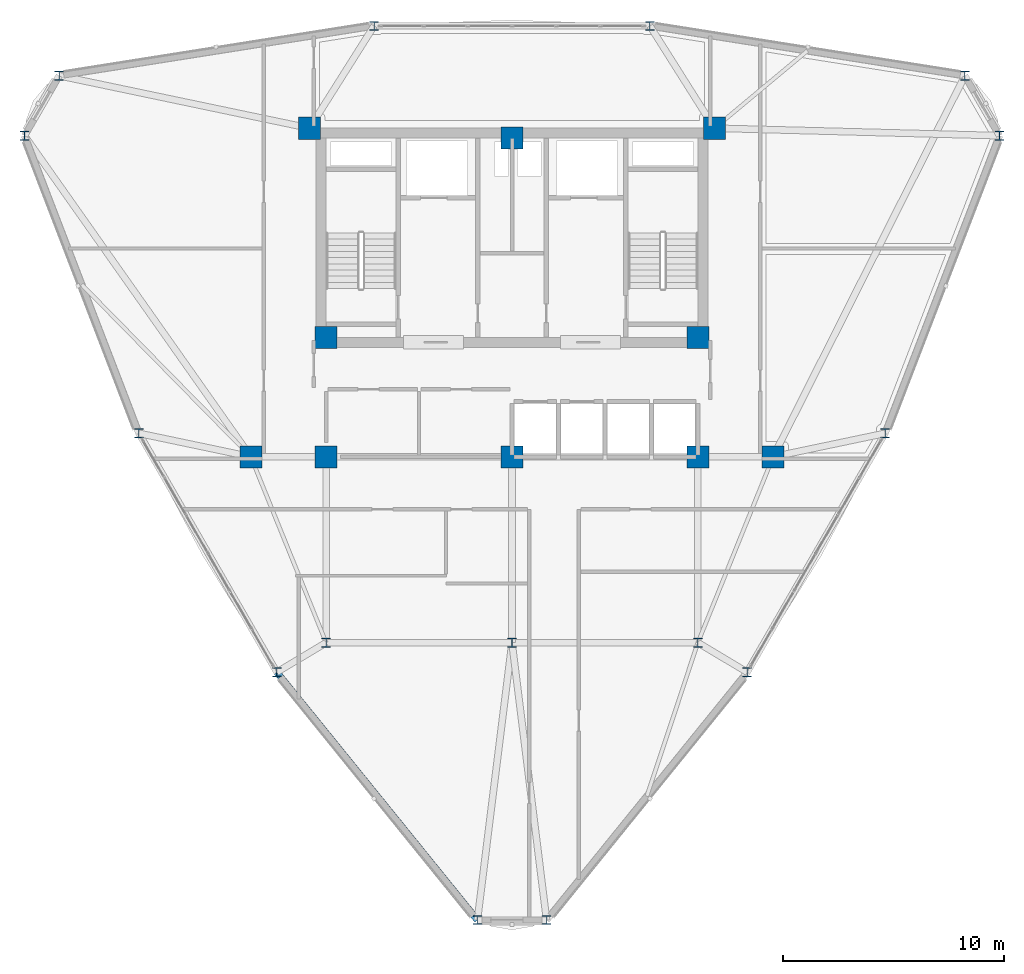
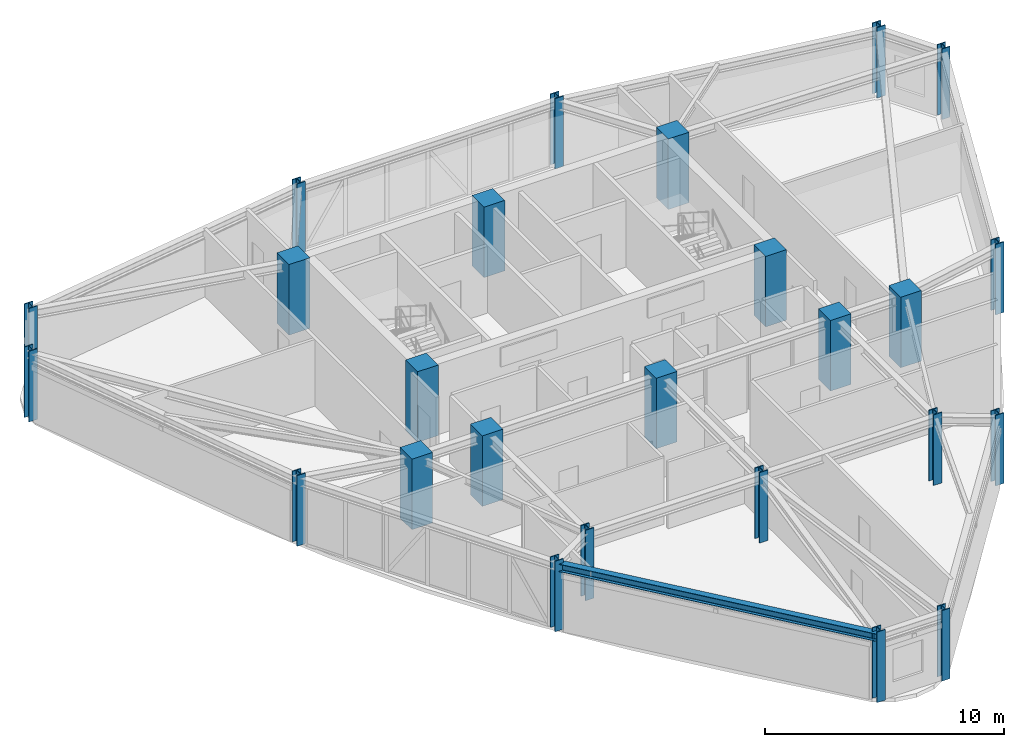
# One storey, part 1 of 14: 25 columns, 1 beam.
"""IFC4 building model written with IfcOpenShell, lengths in metres."""

from ifc_helpers import new_model, si_unit, derived_unit, direction, frame, origin, origin_2d, place, context, subcontext, project, spatial, rectangle, i_section, extrude, source, transform, mapped, material, material_profile, profile_set, type_object, element, save


model = new_model("IFC4")

# Units and contexts
model_context = context("Model", 3, precision=1e-05, world=origin(), true_north=direction((0.0, 1.0)))
body_context = subcontext(model_context, "Body", "Model", "MODEL_VIEW")
ifc_project = project(units=[si_unit("LENGTHUNIT", "METRE"), si_unit("AREAUNIT", "SQUARE_METRE"), si_unit("VOLUMEUNIT", "CUBIC_METRE"), si_unit("PLANEANGLEUNIT", "RADIAN"), si_unit("MASSUNIT", "GRAM", prefix="KILO"), derived_unit("THERMALTRANSMITTANCEUNIT", [(si_unit("POWERUNIT", "WATT"), 1), (si_unit("LENGTHUNIT", "METRE"), -2), (si_unit("THERMODYNAMICTEMPERATUREUNIT", "KELVIN"), -1)])], contexts=[model_context])

# Site, building, storey
site_placement = place(None, origin())
site = spatial("IfcSite", under=ifc_project, at=site_placement, CompositionType="ELEMENT")
building_placement = place(site_placement, origin())
building = spatial("IfcBuilding", under=site, at=building_placement, Name="Korsvarv Bourse and Concert Hall", CompositionType="ELEMENT")
storey_placement = place(building_placement, frame((0.0, 0.0, 193.800048828125)))
storey = spatial("IfcBuildingStorey", under=building, at=storey_placement, Name="L50", CompositionType="ELEMENT", Elevation=193.800048828125)

# Columns
ifc_material_1 = material(Name="Steel S355", Category="steel")
ifc_material_profile_1 = material_profile(ifc_material_1, i_section(OverallWidth=0.412109375, OverallDepth=0.43505859375, WebThickness=0.032958984375, FlangeThickness=0.052978515625, FilletRadius=0.014892578125, at=origin_2d()), Name="HD 400x463")
ifc_profile_set_1 = profile_set([ifc_material_profile_1], Name="Steel S355")
column_type_1 = type_object("IfcColumnType", Name="COL-HD463", PredefinedType="COLUMN", material=ifc_profile_set_1)
shared_shape_1 = source(origin(), body_context, "Body", "SweptSolid", [
    extrude(i_section(OverallWidth=0.412109375, OverallDepth=0.43505859375, WebThickness=0.032958984375, FlangeThickness=0.052978515625, FilletRadius=0.014892578125, at=origin_2d()), origin(), (0.0, 0.0, 1.0), 3.599853515625),
])
for number, where, z_axis, x_axis, name in (
    (1, (27.60009765625, 24.0, 0.0), (0.0, 0.0, 1.0), (1.0, 0.0, 0.0), "L50 column C-09"),
    (2, (44.39990234375, 24.0, 0.0), (0.0, 0.0, 1.0), (1.0, 0.0, 0.0), "L50 column C-09"),
    (3, (36.0, 24.0, 0.0), (0.0, 0.0, 1.0), (1.0, 0.0, 0.0), "L50 column C-09"),
):
    element("IfcColumn", number, at=place(storey_placement, frame(where, z_axis=z_axis, x_axis=x_axis)), inside=storey, type_object=column_type_1, Name=name, PredefinedType="COLUMN", context=body_context, shape_type="MappedRepresentation", body=[
        mapped(shared_shape_1, transform((0.0, 0.0, 0.0), scale=1.0)),
    ])
ifc_material_2 = material(Name="Concrete C55/67", Category="concrete")
ifc_material_profile_2 = material_profile(ifc_material_2, rectangle(XDim=1.0, YDim=1.0, at=origin_2d()), Name="RC 1000x1000")
ifc_profile_set_2 = profile_set([ifc_material_profile_2], Name="Concrete C55/67")
column_type_2 = type_object("IfcColumnType", Name="COL-RC1000", PredefinedType="COLUMN", material=ifc_profile_set_2)
shared_shape_2 = source(origin(), body_context, "Body", "SweptSolid", [
    extrude(rectangle(XDim=1.0, YDim=1.0, at=origin_2d()), origin(), (0.0, 0.0, 1.0), 3.599853515625),
])
for number, where, z_axis, x_axis, name in (
    (4, (26.85009765625, 47.25, 0.0), (0.0, 0.0, 1.0), (1.0, 0.0, 0.0), "L50 column C-03"),
    (5, (45.14990234375, 47.25, 0.0), (0.0, 0.0, 1.0), (1.0, 0.0, 0.0), "L50 column C-03"),
    (6, (27.60009765625, 37.800048828125, 0.0), (0.0, 0.0, 1.0), (1.0, 0.0, 0.0), "L50 column C-03"),
    (7, (44.39990234375, 37.800048828125, 0.0), (0.0, 0.0, 1.0), (1.0, 0.0, 0.0), "L50 column C-03"),
    (8, (27.60009765625, 32.39990234375, 0.0), (0.0, 0.0, 1.0), (1.0, 0.0, 0.0), "L50 column C-03"),
    (9, (44.39990234375, 32.39990234375, 0.0), (0.0, 0.0, 1.0), (1.0, 0.0, 0.0), "L50 column C-03"),
    (10, (36.0, 46.800048828125, 0.0), (0.0, 0.0, 1.0), (1.0, 0.0, 0.0), "L50 column C-03"),
    (11, (36.0, 32.39990234375, 0.0), (0.0, 0.0, 1.0), (1.0, 0.0, 0.0), "L50 column C-03"),
    (12, (24.199951171875, 32.39990234375, 0.0), (0.0, 0.0, 1.0), (1.0, 0.0, 0.0), "L50 column C-03"),
    (13, (47.800048828125, 32.39990234375, 0.0), (0.0, 0.0, 1.0), (1.0, 0.0, 0.0), "L50 column C-03"),
):
    element("IfcColumn", number, at=place(storey_placement, frame(where, z_axis=z_axis, x_axis=x_axis)), inside=storey, type_object=column_type_2, Name=name, PredefinedType="COLUMN", context=body_context, shape_type="MappedRepresentation", body=[
        mapped(shared_shape_2, transform((0.0, 0.0, 0.0), scale=1.0)),
    ])
ifc_material_profile_3 = material_profile(ifc_material_1, i_section(OverallWidth=0.406005859375, OverallDepth=0.416015625, WebThickness=0.027099609375, FlangeThickness=0.0439453125, FilletRadius=0.014892578125, at=origin_2d()), Name="HD 400x382")
ifc_profile_set_3 = profile_set([ifc_material_profile_3], Name="Steel S355")
column_type_3 = type_object("IfcColumnType", Name="COL-HD382", PredefinedType="COLUMN", material=ifc_profile_set_3)
shared_shape_3 = source(origin(), body_context, "Body", "SweptSolid", [
    extrude(i_section(OverallWidth=0.406005859375, OverallDepth=0.416015625, WebThickness=0.027099609375, FlangeThickness=0.0439453125, FilletRadius=0.014892578125, at=origin_2d()), origin(), (0.0, 0.0, 1.0), 3.599853515625),
])
for number, where, z_axis, x_axis, name in (
    (14, (58.0302734375, 46.912353515625, 0.0), (0.0, 0.0, 1.0), (1.0, 0.0, 0.0), "L50 column C-10"),
    (15, (56.465576171875, 49.62255859375, 0.0), (0.0, 0.0, 1.0), (1.0, 0.0, 0.0), "L50 column C-10"),
    (16, (42.233154296875, 51.871826171875, 0.0), (0.0, 0.0, 1.0), (1.0, 0.0, 0.0), "L50 column C-10"),
    (17, (29.766845703125, 51.871826171875, 0.0), (0.0, 0.0, 1.0), (1.0, 0.0, 0.0), "L50 column C-10"),
    (18, (15.534423828125, 49.62255859375, 0.0), (0.0, 0.0, 1.0), (1.0, 0.0, 0.0), "L50 column C-10"),
    (19, (13.9697265625, 46.912353515625, 0.0), (0.0, 0.0, 1.0), (1.0, 0.0, 0.0), "L50 column C-10"),
    (20, (19.13818359375, 33.462158203125, 0.0), (0.0, 0.0, 1.0), (1.0, 0.0, 0.0), "L50 column C-10"),
    (21, (25.37109375, 22.666015625, 0.0), (0.0, 0.0, 1.0), (1.0, 0.0, 0.0), "L50 column C-10"),
    (22, (34.435302734375, 11.465087890625, 0.0), (0.0, 0.0, 1.0), (1.0, 0.0, 0.0), "L50 column C-10"),
    (23, (37.564697265625, 11.465087890625, 0.0), (0.0, 0.0, 1.0), (1.0, 0.0, 0.0), "L50 column C-10"),
    (24, (46.62890625, 22.666015625, 0.0), (0.0, 0.0, 1.0), (1.0, 0.0, 0.0), "L50 column C-10"),
    (25, (52.86181640625, 33.462158203125, 0.0), (0.0, 0.0, 1.0), (1.0, 0.0, 0.0), "L50 column C-10"),
):
    element("IfcColumn", number, at=place(storey_placement, frame(where, z_axis=z_axis, x_axis=x_axis)), inside=storey, type_object=column_type_3, Name=name, PredefinedType="COLUMN", context=body_context, shape_type="MappedRepresentation", body=[
        mapped(shared_shape_3, transform((0.0, 0.0, 0.0), scale=1.0)),
    ])

# Beam
ifc_material_profile_4 = material_profile(ifc_material_1, i_section(OverallWidth=0.300048828125, OverallDepth=0.389892578125, WebThickness=0.010986328125, FlangeThickness=0.01904296875, FilletRadius=0.02099609375, at=origin_2d()), Name="HEA 400")
ifc_profile_set_4 = profile_set([ifc_material_profile_4], Name="Steel S355")
beam_type = type_object("IfcBeamType", Name="BM-HEA400", PredefinedType="BEAM", material=ifc_profile_set_4)
shared_shape_4 = source(origin(), body_context, "Body", "SweptSolid", [
    extrude(i_section(OverallWidth=0.300048828125, OverallDepth=0.389892578125, WebThickness=0.010986328125, FlangeThickness=0.01904296875, FilletRadius=0.02099609375, at=origin_2d()), origin(), (0.0, 0.0, 1.0), 14.408935546875),
])
beam_placement = place(storey_placement, frame((25.37109375, 22.666015625, 3.204833984375), z_axis=(0.629063691989, -0.777353762081, 0.0), x_axis=(0.777353762081, 0.629063691989, 0.0)))
element("IfcBeam", 26, at=beam_placement, inside=storey, type_object=beam_type, Name="L50 beam B-11", PredefinedType="BEAM", context=body_context, shape_type="MappedRepresentation", body=[
    mapped(shared_shape_4, transform((0.0, 0.0, 0.0), scale=1.0)),
])

save(model, "model.ifc")
